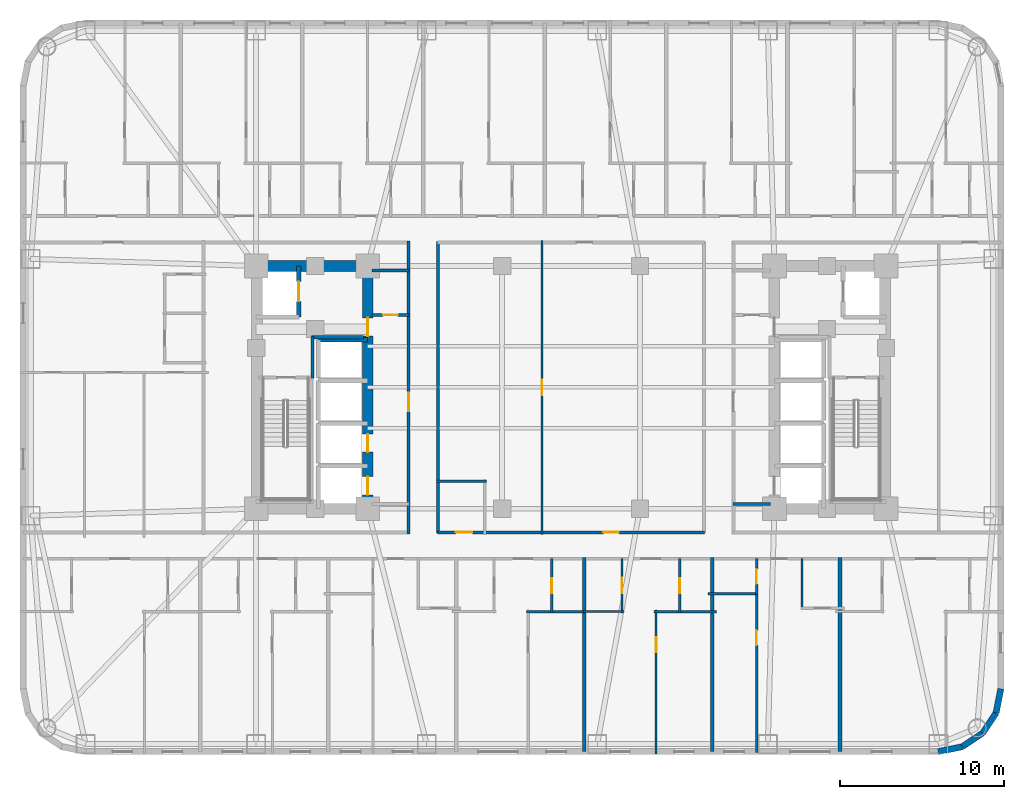
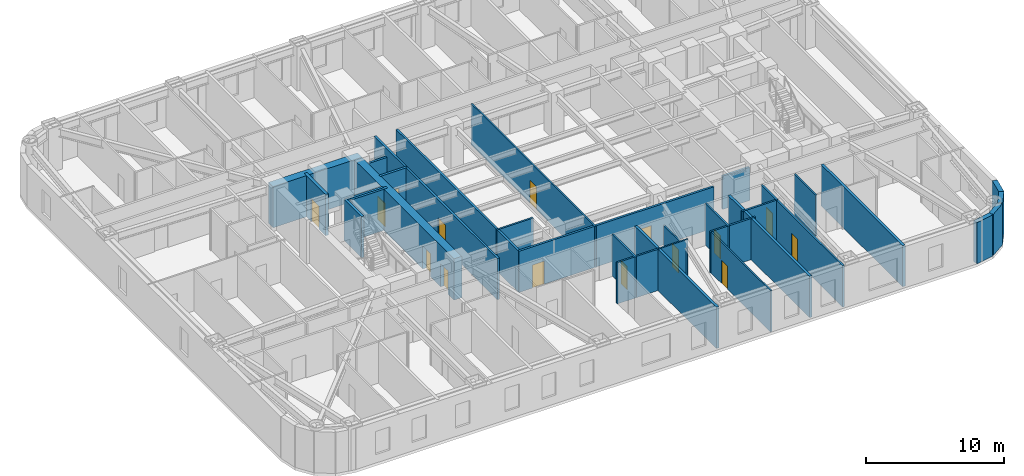
# One storey, part 5 of 11: 32 walls, 15 doors, 15 openings.
"""IFC4 building model written with IfcOpenShell, lengths in metres."""

from ifc_helpers import new_model, si_unit, direction, frame, frame_2d, origin, place, context, subcontext, project, spatial, rectangle, extrude, material, layer, layer_set, type_object, element, fill, save


model = new_model("IFC4")

# Units and contexts
model_context = context("Model", 3, precision=1e-05, world=origin(), true_north=direction((0.0, 1.0)))
body_context = subcontext(model_context, "Body", "Model", "MODEL_VIEW")
ifc_project = project(units=[si_unit("LENGTHUNIT", "METRE"), si_unit("AREAUNIT", "SQUARE_METRE"), si_unit("VOLUMEUNIT", "CUBIC_METRE"), si_unit("PLANEANGLEUNIT", "RADIAN"), si_unit("MASSUNIT", "GRAM", prefix="KILO")], contexts=[model_context])

# Site, building, storey
site_placement = place(None, origin())
site = spatial("IfcSite", under=ifc_project, at=site_placement, CompositionType="ELEMENT")
building_placement = place(site_placement, origin())
building = spatial("IfcBuilding", under=site, at=building_placement, Name="Voryun Gate Residences", CompositionType="ELEMENT")
storey_placement = place(building_placement, frame((0.0, 0.0, 57.199951171875)))
storey = spatial("IfcBuildingStorey", under=building, at=storey_placement, Name="L13", CompositionType="ELEMENT", Elevation=57.199951171875)

# Wall
ifc_material_1 = material(Name="Concrete C60/75", Category="concrete")
ifc_layer_1 = layer(ifc_material_1, 0.64990234375, Name="CW_CORE_650")
ifc_layer_set_1 = layer_set([ifc_layer_1], Name="Concrete C60/75")
wall_type_1 = type_object("IfcWallType", Name="CW_CORE_650", PredefinedType="SHEAR", material=ifc_layer_set_1)
wall_1_placement = place(storey_placement, frame((-19.52490234375, 7.39990234375, 0.0), z_axis=(0.0, 0.0, 1.0), x_axis=(1.0, 0.0, 0.0)))
element("IfcWall", 1, at=wall_1_placement, inside=storey, type_object=wall_type_1, Name="L13 Core shear wall CW-L13-WN", PredefinedType="SHEAR", context=body_context, shape_type="SweptSolid", body=[
    extrude(rectangle(XDim=7.449951171875, YDim=0.64990234375, at=frame_2d((3.72509765625, 0.0))), origin(), (0.0, 0.0, 1.0), 3.650146484375),
])

# Wall, openings, doors
wall_2_placement = place(storey_placement, frame((-12.39990234375, -7.39990234375, 0.0), z_axis=(0.0, 0.0, 1.0), x_axis=(0.0, 1.0, 0.0)))
wall_2 = element("IfcWall", 2, at=wall_2_placement, inside=storey, type_object=wall_type_1, Name="L13 Core shear wall CW-L13-WE", PredefinedType="SHEAR", context=body_context, shape_type="SweptSolid", body=[
    extrude(rectangle(XDim=14.7998046875, YDim=0.64990234375, at=frame_2d((7.39990234375, 0.0))), origin(), (0.0, 0.0, 1.0), 3.650146484375),
])
opening_1_placement = place(wall_2_placement, frame((0.85009765625, 0.0, 0.0)))
opening_1 = element("IfcOpeningElement", 3, at=opening_1_placement, cuts=wall_2, Name="Opening LD2", PredefinedType="OPENING", context=body_context, shape_type="SweptSolid", body=[
    extrude(rectangle(XDim=1.10009765625, YDim=2.050048828125, at=frame_2d((0.550048828125, 1.02490234375))), frame((0.0, 0.3349609375, 0.0), z_axis=(0.0, -1.0, 0.0), x_axis=(1.0, 0.0, 0.0)), (0.0, 0.0, 1.0), 0.669921875),
])
opening_2_placement = place(wall_2_placement, frame((3.449951171875, 0.0, 0.0)))
opening_2 = element("IfcOpeningElement", 4, at=opening_2_placement, cuts=wall_2, Name="Opening LD2", PredefinedType="OPENING", context=body_context, shape_type="SweptSolid", body=[
    extrude(rectangle(XDim=1.10009765625, YDim=2.050048828125, at=frame_2d((0.550048828125, 1.02490234375))), frame((0.0, 0.3349609375, 0.0), z_axis=(0.0, -1.0, 0.0), x_axis=(1.0, 0.0, 0.0)), (0.0, 0.0, 1.0), 0.669921875),
])
opening_3_placement = place(wall_2_placement, frame((10.530029296875, 0.0, 0.0)))
opening_3 = element("IfcOpeningElement", 5, at=opening_3_placement, cuts=wall_2, Name="Opening D-FD60-2", PredefinedType="OPENING", context=body_context, shape_type="SweptSolid", body=[
    extrude(rectangle(XDim=1.10009765625, YDim=2.050048828125, at=frame_2d((0.550048828125, 1.02490234375))), frame((0.0, 0.3349609375, 0.0), z_axis=(0.0, -1.0, 0.0), x_axis=(1.0, 0.0, 0.0)), (0.0, 0.0, 1.0), 0.669921875),
])
ifc_material_2 = material(Name="Painted steel fire door", Category="steel")
door_type_1 = type_object("IfcDoorType", Name="DR_FD60_FFLOB_1100", OperationType="NOTDEFINED", PredefinedType="DOOR", material=ifc_material_2)
door_1_placement = place(opening_3_placement, origin())
door_1 = element("IfcDoor", 6, at=door_1_placement, inside=storey, type_object=door_type_1, Name="Door DR-L13-CLOB-W", OperationType="SINGLE_SWING_LEFT", OverallHeight=2.050048828125, OverallWidth=1.10009765625, PredefinedType="DOOR", context=body_context, shape_type="SweptSolid", body=[
    extrude(rectangle(XDim=1.10009765625, YDim=2.050048828125, at=frame_2d((0.550048828125, 1.02490234375))), frame((0.0, 0.02490234375, 0.0), z_axis=(0.0, -1.0, 0.0), x_axis=(1.0, 0.0, 0.0)), (0.0, 0.0, 1.0), 0.050048828125),
])
fill(opening_3, door_1)
ifc_material_3 = material(Name="Anodised aluminium", Category="aluminium")
door_type_2 = type_object("IfcDoorType", Name="DR_LD_PASS_1100", OperationType="NOTDEFINED", PredefinedType="DOOR", material=ifc_material_3)
door_2_placement = place(opening_1_placement, origin())
door_2 = element("IfcDoor", 7, at=door_2_placement, inside=storey, type_object=door_type_2, Name="Lift EL-P1 sliding landing door L13", OperationType="SLIDING_TO_LEFT", OverallHeight=2.050048828125, OverallWidth=1.10009765625, PredefinedType="DOOR", context=body_context, shape_type="SweptSolid", body=[
    extrude(rectangle(XDim=1.10009765625, YDim=2.050048828125, at=frame_2d((0.550048828125, 1.02490234375))), frame((0.0, 0.02490234375, 0.0), z_axis=(0.0, -1.0, 0.0), x_axis=(1.0, 0.0, 0.0)), (0.0, 0.0, 1.0), 0.050048828125),
])
fill(opening_1, door_2)
door_3_placement = place(opening_2_placement, origin())
door_3 = element("IfcDoor", 8, at=door_3_placement, inside=storey, type_object=door_type_2, Name="Lift EL-P2 sliding landing door L13", OperationType="SLIDING_TO_LEFT", OverallHeight=2.050048828125, OverallWidth=1.10009765625, PredefinedType="DOOR", context=body_context, shape_type="SweptSolid", body=[
    extrude(rectangle(XDim=1.10009765625, YDim=2.050048828125, at=frame_2d((0.550048828125, 1.02490234375))), frame((0.0, 0.02490234375, 0.0), z_axis=(0.0, -1.0, 0.0), x_axis=(1.0, 0.0, 0.0)), (0.0, 0.0, 1.0), 0.050048828125),
])
fill(opening_2, door_3)

# Walls
ifc_material_4 = material(Name="Gypsum acoustic fireboard")
ifc_layer_2 = layer(ifc_material_4, 0.179931640625, Name="W_CORR_RATED_180")
ifc_layer_set_2 = layer_set([ifc_layer_2], Name="Gypsum acoustic fireboard")
wall_type_2 = type_object("IfcWallType", Name="W_CORR_RATED_180", PredefinedType="PARTITIONING", material=ifc_layer_set_2)
for number, where, z_axis, x_axis, name in (
    (9, (-12.14990234375, 7.1201171875, 0.0), (0.0, 0.0, 1.0), (1.0, 0.0, 0.0), "Partition wall WP-L13-PLBN-W"),
    (10, (9.8798828125, -7.1201171875, 0.0), (0.0, 0.0, 1.0), (1.0, 0.0, 0.0), "Partition wall WP-L13-PLBS-E"),
):
    element("IfcWall", number, at=place(storey_placement, frame(where, z_axis=z_axis, x_axis=x_axis)), inside=storey, type_object=wall_type_2, Name=name, PredefinedType="PARTITIONING", context=body_context, shape_type="SweptSolid", body=[
        extrude(rectangle(XDim=2.27001953125, YDim=0.179931640625, at=frame_2d((1.135009765625, 0.0))), origin(), (0.0, 0.0, 1.0), 2.93994140625),
    ])

# Wall, opening, door
wall_3_placement = place(storey_placement, frame((-9.89990234375, -8.929931640625, 0.0), z_axis=(0.0, 0.0, 1.0), x_axis=(0.0, 1.0, 0.0)))
wall_3 = element("IfcWall", 11, at=wall_3_placement, inside=storey, type_object=wall_type_2, Name="Partition wall WP-L13-PLBW-FULL", PredefinedType="PARTITIONING", context=body_context, shape_type="SweptSolid", body=[
    extrude(rectangle(XDim=17.85986328125, YDim=0.179931640625, at=frame_2d((8.929931640625, 0.0))), origin(), (0.0, 0.0, 1.0), 3.650146484375),
])
opening_4_placement = place(wall_3_placement, frame((7.487060546875, 0.0, 0.0)))
opening_4 = element("IfcOpeningElement", 12, at=opening_4_placement, cuts=wall_3, Name="Opening D-FD60-2", PredefinedType="OPENING", context=body_context, shape_type="SweptSolid", body=[
    extrude(rectangle(XDim=1.10009765625, YDim=2.050048828125, at=frame_2d((0.550048828125, 1.02490234375))), frame((0.0, 0.099853515625, 0.0), z_axis=(0.0, -1.0, 0.0), x_axis=(1.0, 0.0, 0.0)), (0.0, 0.0, 1.0), 0.199951171875),
])
door_4_placement = place(opening_4_placement, origin())
door_4 = element("IfcDoor", 13, at=door_4_placement, inside=storey, type_object=door_type_1, Name="Door DR-L13-PLBW-COR", OperationType="SINGLE_SWING_LEFT", OverallHeight=2.050048828125, OverallWidth=1.10009765625, PredefinedType="DOOR", context=body_context, shape_type="SweptSolid", body=[
    extrude(rectangle(XDim=1.10009765625, YDim=2.050048828125, at=frame_2d((0.550048828125, 1.02490234375))), frame((0.0, 0.02490234375, 0.0), z_axis=(0.0, -1.0, 0.0), x_axis=(1.0, 0.0, 0.0)), (0.0, 0.0, 1.0), 0.050048828125),
])
fill(opening_4, door_4)

# Wall, openings, doors
wall_4_placement = place(storey_placement, frame((-8.14990234375, -8.840087890625, 0.0), z_axis=(0.0, 0.0, 1.0), x_axis=(1.0, 0.0, 0.0)))
wall_4 = element("IfcWall", 14, at=wall_4_placement, inside=storey, type_object=wall_type_2, Name="Partition wall WP-L13-Z1S", PredefinedType="PARTITIONING", context=body_context, shape_type="SweptSolid", body=[
    extrude(rectangle(XDim=16.2998046875, YDim=0.179931640625, at=frame_2d((8.14990234375, 0.0))), origin(), (0.0, 0.0, 1.0), 3.650146484375),
])
opening_5_placement = place(wall_4_placement, frame((1.1298828125, 0.0, 0.0)))
opening_5 = element("IfcOpeningElement", 15, at=opening_5_placement, cuts=wall_4, Name="Opening D-AWC-1", PredefinedType="OPENING", context=body_context, shape_type="SweptSolid", body=[
    extrude(rectangle(XDim=1.0, YDim=2.050048828125, at=frame_2d((0.5, 1.02490234375))), frame((0.0, 0.099853515625, 0.0), z_axis=(0.0, -1.0, 0.0), x_axis=(1.0, 0.0, 0.0)), (0.0, 0.0, 1.0), 0.199951171875),
])
opening_6_placement = place(wall_4_placement, frame((10.1201171875, 0.0, 0.0)))
opening_6 = element("IfcOpeningElement", 16, at=opening_6_placement, cuts=wall_4, Name="Opening D-INT-1", PredefinedType="OPENING", context=body_context, shape_type="SweptSolid", body=[
    extrude(rectangle(XDim=0.949951171875, YDim=2.050048828125, at=frame_2d((0.47509765625, 1.02490234375))), frame((0.0, 0.099853515625, 0.0), z_axis=(0.0, -1.0, 0.0), x_axis=(1.0, 0.0, 0.0)), (0.0, 0.0, 1.0), 0.199951171875),
])
ifc_material_5 = material(Name="Architectural oak veneer")
door_type_3 = type_object("IfcDoorType", Name="DR_ACC_WC_1000", OperationType="NOTDEFINED", PredefinedType="DOOR", material=ifc_material_5)
door_5_placement = place(opening_5_placement, origin())
door_5 = element("IfcDoor", 17, at=door_5_placement, inside=storey, type_object=door_type_3, Name="Door DR-L13-CMWC-D", OperationType="SINGLE_SWING_LEFT", OverallHeight=2.050048828125, OverallWidth=1.0, PredefinedType="DOOR", context=body_context, shape_type="SweptSolid", body=[
    extrude(rectangle(XDim=1.0, YDim=2.050048828125, at=frame_2d((0.5, 1.02490234375))), frame((0.0, 0.02490234375, 0.0), z_axis=(0.0, -1.0, 0.0), x_axis=(1.0, 0.0, 0.0)), (0.0, 0.0, 1.0), 0.050048828125),
])
fill(opening_5, door_5)
ifc_material_6 = material(Name="Architectural oak veneer")
door_type_4 = type_object("IfcDoorType", Name="DR_INT_ROOM_950", OperationType="NOTDEFINED", PredefinedType="DOOR", material=ifc_material_6)
door_6_placement = place(opening_6_placement, origin())
door_6 = element("IfcDoor", 18, at=door_6_placement, inside=storey, type_object=door_type_4, Name="Door DR-L13-CMIDZ1S", OperationType="SINGLE_SWING_RIGHT", OverallHeight=2.050048828125, OverallWidth=0.949951171875, PredefinedType="DOOR", context=body_context, shape_type="SweptSolid", body=[
    extrude(rectangle(XDim=0.949951171875, YDim=2.050048828125, at=frame_2d((0.47509765625, 1.02490234375))), frame((0.0, 0.02490234375, 0.0), z_axis=(0.0, -1.0, 0.0), x_axis=(1.0, 0.0, 0.0)), (0.0, 0.0, 1.0), 0.050048828125),
])
fill(opening_6, door_6)

# Walls
wall_5_placement = place(storey_placement, frame((-8.10009765625, -8.8798828125, 0.0), z_axis=(0.0, 0.0, 1.0), x_axis=(0.0, 1.0, 0.0)))
element("IfcWall", 19, at=wall_5_placement, inside=storey, type_object=wall_type_2, Name="Partition wall WP-L13-Z1W", PredefinedType="PARTITIONING", context=body_context, shape_type="SweptSolid", body=[
    extrude(rectangle(XDim=17.759765625, YDim=0.179931640625, at=frame_2d((8.8798828125, 0.0))), origin(), (0.0, 0.0, 1.0), 3.650146484375),
])
ifc_material_7 = material(Name="Granite masonry", Category="masonry")
ifc_layer_3 = layer(ifc_material_7, 0.3798828125, Name="W_EXT_GRANITE_380")
ifc_layer_set_3 = layer_set([ifc_layer_3], Name="Granite masonry")
wall_type_3 = type_object("IfcWallType", Name="W_EXT_GRANITE_380", PredefinedType="ELEMENTEDWALL", material=ifc_layer_set_3)
wall_6_placement = place(storey_placement, frame((26.2099609375, -18.38134765625, 0.0), z_axis=(0.0, 0.0, 1.0), x_axis=(-0.195086038585, -0.980786132421, 0.0)))
element("IfcWall", 20, at=wall_6_placement, inside=storey, type_object=wall_type_3, Name="Exterior wall WEXT-L13-17", PredefinedType="ELEMENTEDWALL", context=body_context, shape_type="SweptSolid", body=[
    extrude(rectangle(XDim=1.504150390625, YDim=0.3798828125, at=frame_2d((0.751953125, 0.0))), origin(), (0.0, 0.0, 1.0), 3.650146484375),
])
for number, where, z_axis, x_axis, name in (
    (21, (25.91650390625, -19.856689453125, 0.0), (0.0, 0.0, 1.0), (-0.555686231674, -0.831392092774, 0.0), "Exterior wall WEXT-L13-18"),
    (22, (25.09130859375, -21.09130859375, 0.0), (0.0, 0.0, 1.0), (-0.831392092774, -0.555686231674, 0.0), "Exterior wall WEXT-L13-19"),
):
    element("IfcWall", number, at=place(storey_placement, frame(where, z_axis=z_axis, x_axis=x_axis)), inside=storey, type_object=wall_type_3, Name=name, PredefinedType="ELEMENTEDWALL", context=body_context, shape_type="SweptSolid", body=[
        extrude(rectangle(XDim=1.485107421875, YDim=0.3798828125, at=frame_2d((0.74267578125, 0.0))), origin(), (0.0, 0.0, 1.0), 3.650146484375),
    ])
wall_7_placement = place(storey_placement, frame((23.856689453125, -21.91650390625, 0.0), z_axis=(0.0, 0.0, 1.0), x_axis=(-0.980786132421, -0.195086038585, 0.0)))
element("IfcWall", 23, at=wall_7_placement, inside=storey, type_object=wall_type_3, Name="Exterior wall WEXT-L13-20", PredefinedType="ELEMENTEDWALL", context=body_context, shape_type="SweptSolid", body=[
    extrude(rectangle(XDim=1.504150390625, YDim=0.3798828125, at=frame_2d((0.751953125, 0.0))), origin(), (0.0, 0.0, 1.0), 3.650146484375),
])
ifc_material_8 = material(Name="Concrete C40/50", Category="concrete")
ifc_layer_4 = layer(ifc_material_8, 0.199951171875, Name="W_FF_LOBBY_200")
ifc_layer_set_4 = layer_set([ifc_layer_4], Name="Concrete C40/50")
wall_type_4 = type_object("IfcWallType", Name="W_FF_LOBBY_200", PredefinedType="PARTITIONING", material=ifc_layer_set_4)
wall_8_placement = place(storey_placement, frame((-15.760009765625, 0.580078125, 0.0), z_axis=(0.0, 0.0, 1.0), x_axis=(0.0, 1.0, 0.0)))
element("IfcWall", 24, at=wall_8_placement, inside=storey, type_object=wall_type_4, Name="Partition wall WP-L13-FFP0-W", PredefinedType="PARTITIONING", context=body_context, shape_type="SweptSolid", body=[
    extrude(rectangle(XDim=2.52001953125, YDim=0.199951171875, at=frame_2d((1.260009765625, 0.0))), origin(), (0.0, 0.0, 1.0), 3.650146484375),
])
wall_9_placement = place(storey_placement, frame((-15.820068359375, 3.06005859375, 0.0), z_axis=(0.0, 0.0, 1.0), x_axis=(1.0, 0.0, 0.0)))
element("IfcWall", 25, at=wall_9_placement, inside=storey, type_object=wall_type_4, Name="Partition wall WP-L13-FFPS-W", PredefinedType="PARTITIONING", context=body_context, shape_type="SweptSolid", body=[
    extrude(rectangle(XDim=3.16015625, YDim=0.199951171875, at=frame_2d((1.580078125, 0.0))), origin(), (0.0, 0.0, 1.0), 3.650146484375),
])

# Wall, opening, door
wall_10_placement = place(storey_placement, frame((-12.14990234375, 4.409912109375, 0.0), z_axis=(0.0, 0.0, 1.0), x_axis=(1.0, 0.0, 0.0)))
wall_10 = element("IfcWall", 26, at=wall_10_placement, inside=storey, type_object=wall_type_4, Name="Partition wall WP-L13-CSFLKS-W", PredefinedType="PARTITIONING", context=body_context, shape_type="SweptSolid", body=[
    extrude(rectangle(XDim=2.27001953125, YDim=0.199951171875, at=frame_2d((1.135009765625, 0.0))), origin(), (0.0, 0.0, 1.0), 3.650146484375),
])
opening_7_placement = place(wall_10_placement, frame((0.68505859375, 0.0, 0.0)))
opening_7 = element("IfcOpeningElement", 27, at=opening_7_placement, cuts=wall_10, Name="Opening D-FD60-4", PredefinedType="OPENING", context=body_context, shape_type="SweptSolid", body=[
    extrude(rectangle(XDim=0.89990234375, YDim=2.050048828125, at=frame_2d((0.449951171875, 1.02490234375))), frame((0.0, 0.110107421875, 0.0), z_axis=(0.0, -1.0, 0.0), x_axis=(1.0, 0.0, 0.0)), (0.0, 0.0, 1.0), 0.219970703125),
])
ifc_material_9 = material(Name="Painted steel fire door", Category="steel")
door_type_5 = type_object("IfcDoorType", Name="DR_FD60_RISER_900", OperationType="NOTDEFINED", PredefinedType="DOOR", material=ifc_material_9)
door_7_placement = place(opening_7_placement, origin())
door_7 = element("IfcDoor", 28, at=door_7_placement, inside=storey, type_object=door_type_5, Name="Door DR-L13-CSFLK-W", OperationType="SINGLE_SWING_LEFT", OverallHeight=2.050048828125, OverallWidth=0.89990234375, PredefinedType="DOOR", context=body_context, shape_type="SweptSolid", body=[
    extrude(rectangle(XDim=0.89990234375, YDim=2.050048828125, at=frame_2d((0.449951171875, 1.02490234375))), frame((0.0, 0.02490234375, 0.0), z_axis=(0.0, -1.0, 0.0), x_axis=(1.0, 0.0, 0.0)), (0.0, 0.0, 1.0), 0.050048828125),
])
fill(opening_7, door_7)

# Walls
ifc_material_10 = material(Name="Concrete C40/50", Category="concrete")
ifc_layer_5 = layer(ifc_material_10, 0.219970703125, Name="W_PARTY_ACOUSTIC_220")
ifc_layer_set_5 = layer_set([ifc_layer_5], Name="Concrete C40/50")
wall_type_5 = type_object("IfcWallType", Name="W_PARTY_ACOUSTIC_220", PredefinedType="PARTITIONING", material=ifc_layer_set_5)
for number, where, z_axis, x_axis, name in (
    (29, (0.800048828125, -22.2099609375, 0.0), (0.0, 0.0, 1.0), (0.0, 1.0, 0.0), "Partition wall WP-L13-SPTY-4"),
    (30, (8.60009765625, -22.2099609375, 0.0), (0.0, 0.0, 1.0), (0.0, 1.0, 0.0), "Partition wall WP-L13-SPTY-5"),
    (31, (16.39990234375, -22.2099609375, 0.0), (0.0, 0.0, 1.0), (0.0, 1.0, 0.0), "Partition wall WP-L13-SPTY-6"),
):
    element("IfcWall", number, at=place(storey_placement, frame(where, z_axis=z_axis, x_axis=x_axis)), inside=storey, type_object=wall_type_5, Name=name, PredefinedType="PARTITIONING", context=body_context, shape_type="SweptSolid", body=[
        extrude(rectangle(XDim=11.83984375, YDim=0.219970703125, at=frame_2d((5.919921875, 0.0))), origin(), (0.0, 0.0, 1.0), 3.650146484375),
    ])

# Wall, opening, door
ifc_material_11 = material(Name="Concrete C50/60", Category="concrete")
ifc_layer_6 = layer(ifc_material_11, 0.25, Name="W_SHAFT_RC250")
ifc_layer_set_6 = layer_set([ifc_layer_6], Name="Concrete C50/60")
wall_type_6 = type_object("IfcWallType", Name="W_SHAFT_RC250", PredefinedType="SOLIDWALL", material=ifc_layer_set_6)
wall_11_placement = place(storey_placement, frame((-16.60009765625, 4.300048828125, 0.0), z_axis=(0.0, 0.0, 1.0), x_axis=(0.0, 1.0, 0.0)))
wall_11 = element("IfcWall", 32, at=wall_11_placement, inside=storey, type_object=wall_type_6, Name="Lift shaft wall WSH-L13-EL-FF-W1-E", PredefinedType="SOLIDWALL", context=body_context, shape_type="SweptSolid", body=[
    extrude(rectangle(XDim=3.099853515625, YDim=0.25, at=frame_2d((1.5498046875, 0.0))), origin(), (0.0, 0.0, 1.0), 3.650146484375),
])
opening_8_placement = place(wall_11_placement, frame((0.949951171875, 0.0, 0.0)))
opening_8 = element("IfcOpeningElement", 33, at=opening_8_placement, cuts=wall_11, Name="Opening LD1", PredefinedType="OPENING", context=body_context, shape_type="SweptSolid", body=[
    extrude(rectangle(XDim=1.199951171875, YDim=2.050048828125, at=frame_2d((0.60009765625, 1.02490234375))), frame((0.0, 0.135009765625, 0.0), z_axis=(0.0, -1.0, 0.0), x_axis=(1.0, 0.0, 0.0)), (0.0, 0.0, 1.0), 0.27001953125),
])
ifc_material_12 = material(Name="Anodised aluminium", Category="aluminium")
door_type_6 = type_object("IfcDoorType", Name="DR_LD_FF_1200", OperationType="NOTDEFINED", PredefinedType="DOOR", material=ifc_material_12)
door_8_placement = place(opening_8_placement, origin())
door_8 = element("IfcDoor", 34, at=door_8_placement, inside=storey, type_object=door_type_6, Name="Lift EL-FF-W1 sliding landing door L13", OperationType="SLIDING_TO_LEFT", OverallHeight=2.050048828125, OverallWidth=1.199951171875, PredefinedType="DOOR", context=body_context, shape_type="SweptSolid", body=[
    extrude(rectangle(XDim=1.199951171875, YDim=2.050048828125, at=frame_2d((0.60009765625, 1.02490234375))), frame((0.0, 0.02490234375, 0.0), z_axis=(0.0, -1.0, 0.0), x_axis=(1.0, 0.0, 0.0)), (0.0, 0.0, 1.0), 0.050048828125),
])
fill(opening_8, door_8)

# Wall
wall_12_placement = place(storey_placement, frame((-12.39990234375, 2.89990234375, 0.0), z_axis=(0.0, 0.0, 1.0), x_axis=(-1.0, 0.0, 0.0)))
element("IfcWall", 35, at=wall_12_placement, inside=storey, type_object=wall_type_6, Name="Lift shaft wall WSH-L13-EL-P7-N", PredefinedType="SOLIDWALL", context=body_context, shape_type="SweptSolid", body=[
    extrude(rectangle(XDim=3.0, YDim=0.25, at=frame_2d((1.5, 0.0))), origin(), (0.0, 0.0, 1.0), 3.650146484375),
])

# Wall, opening, door
ifc_material_13 = material(Name="Gypsum acoustic partition")
ifc_layer_7 = layer(ifc_material_13, 0.125, Name="W_UNIT_PART_125")
ifc_layer_set_7 = layer_set([ifc_layer_7], Name="Gypsum acoustic partition")
wall_type_7 = type_object("IfcWallType", Name="W_UNIT_PART_125", PredefinedType="PARTITIONING", material=ifc_layer_set_7)
wall_13_placement = place(storey_placement, frame((-1.77294921875, -8.969970703125, 0.0), z_axis=(0.0, 0.0, 1.0), x_axis=(0.0, 1.0, 0.0)))
wall_13 = element("IfcWall", 36, at=wall_13_placement, inside=storey, type_object=wall_type_7, Name="Partition wall WP-L13-MIDX-0", PredefinedType="PARTITIONING", context=body_context, shape_type="SweptSolid", body=[
    extrude(rectangle(XDim=17.93994140625, YDim=0.125, at=frame_2d((8.969970703125, 0.0))), origin(), (0.0, 0.0, 1.0), 3.650146484375),
])
opening_9_placement = place(wall_13_placement, frame((8.4951171875, 0.0, 0.0)))
opening_9 = element("IfcOpeningElement", 37, at=opening_9_placement, cuts=wall_13, Name="Opening D-INT-1", PredefinedType="OPENING", context=body_context, shape_type="SweptSolid", body=[
    extrude(rectangle(XDim=0.949951171875, YDim=2.050048828125, at=frame_2d((0.47509765625, 1.02490234375))), frame((0.0, 0.072509765625, 0.0), z_axis=(0.0, -1.0, 0.0), x_axis=(1.0, 0.0, 0.0)), (0.0, 0.0, 1.0), 0.14501953125),
])
door_9_placement = place(opening_9_placement, origin())
door_9 = element("IfcDoor", 38, at=door_9_placement, inside=storey, type_object=door_type_4, Name="Door DR-L13-MIDX-0", OperationType="SINGLE_SWING_LEFT", OverallHeight=2.050048828125, OverallWidth=0.949951171875, PredefinedType="DOOR", context=body_context, shape_type="SweptSolid", body=[
    extrude(rectangle(XDim=0.949951171875, YDim=2.050048828125, at=frame_2d((0.47509765625, 1.02490234375))), frame((0.0, 0.02490234375, 0.0), z_axis=(0.0, -1.0, 0.0), x_axis=(1.0, 0.0, 0.0)), (0.0, 0.0, 1.0), 0.050048828125),
])
fill(opening_9, door_9)

wall_14_placement = place(storey_placement, frame((5.18994140625, -22.360107421875, 0.0), z_axis=(0.0, 0.0, 1.0), x_axis=(0.0, 1.0, 0.0)))
wall_14 = element("IfcWall", 39, at=wall_14_placement, inside=storey, type_object=wall_type_7, Name="Partition wall WP-L13-S5-OVR", PredefinedType="PARTITIONING", context=body_context, shape_type="SweptSolid", body=[
    extrude(rectangle(XDim=8.77001953125, YDim=0.125, at=frame_2d((4.385009765625, 0.0))), origin(), (0.0, 0.0, 1.0), 3.650146484375),
])
opening_10_placement = place(wall_14_placement, frame((6.215087890625, 0.0, 0.0)))
opening_10 = element("IfcOpeningElement", 40, at=opening_10_placement, cuts=wall_14, Name="Opening D-INT-2", PredefinedType="OPENING", context=body_context, shape_type="SweptSolid", body=[
    extrude(rectangle(XDim=0.89990234375, YDim=2.050048828125, at=frame_2d((0.449951171875, 1.02490234375))), frame((0.0, 0.072509765625, 0.0), z_axis=(0.0, -1.0, 0.0), x_axis=(1.0, 0.0, 0.0)), (0.0, 0.0, 1.0), 0.14501953125),
])
ifc_material_14 = material(Name="Architectural oak veneer")
door_type_7 = type_object("IfcDoorType", Name="DR_INT_BATH_900", OperationType="NOTDEFINED", PredefinedType="DOOR", material=ifc_material_14)
door_10_placement = place(opening_10_placement, origin())
door_10 = element("IfcDoor", 41, at=door_10_placement, inside=storey, type_object=door_type_7, Name="Door DR-L13-S5-DMB", OperationType="SINGLE_SWING_RIGHT", OverallHeight=2.050048828125, OverallWidth=0.89990234375, PredefinedType="DOOR", context=body_context, shape_type="SweptSolid", body=[
    extrude(rectangle(XDim=0.89990234375, YDim=2.050048828125, at=frame_2d((0.449951171875, 1.02490234375))), frame((0.0, 0.02490234375, 0.0), z_axis=(0.0, -1.0, 0.0), x_axis=(1.0, 0.0, 0.0)), (0.0, 0.0, 1.0), 0.050048828125),
])
fill(opening_10, door_10)

wall_15_placement = place(storey_placement, frame((3.110107421875, -13.75, 0.0), z_axis=(0.0, 0.0, 1.0), x_axis=(0.0, 1.0, 0.0)))
wall_15 = element("IfcWall", 42, at=wall_15_placement, inside=storey, type_object=wall_type_7, Name="Partition wall WP-L13-S5-IVK", PredefinedType="PARTITIONING", context=body_context, shape_type="SweptSolid", body=[
    extrude(rectangle(XDim=3.320068359375, YDim=0.125, at=frame_2d((1.66015625, 0.0))), origin(), (0.0, 0.0, 1.0), 2.93994140625),
])
opening_11_placement = place(wall_15_placement, frame((1.18505859375, 0.0, 0.0)))
opening_11 = element("IfcOpeningElement", 43, at=opening_11_placement, cuts=wall_15, Name="Opening D-INT-1", PredefinedType="OPENING", context=body_context, shape_type="SweptSolid", body=[
    extrude(rectangle(XDim=0.949951171875, YDim=2.050048828125, at=frame_2d((0.47509765625, 1.02490234375))), frame((0.0, 0.072509765625, 0.0), z_axis=(0.0, -1.0, 0.0), x_axis=(1.0, 0.0, 0.0)), (0.0, 0.0, 1.0), 0.14501953125),
])
door_11_placement = place(opening_11_placement, origin())
door_11 = element("IfcDoor", 44, at=door_11_placement, inside=storey, type_object=door_type_4, Name="Door DR-L13-S5-DK", OperationType="SINGLE_SWING_LEFT", OverallHeight=2.050048828125, OverallWidth=0.949951171875, PredefinedType="DOOR", context=body_context, shape_type="SweptSolid", body=[
    extrude(rectangle(XDim=0.949951171875, YDim=2.050048828125, at=frame_2d((0.47509765625, 1.02490234375))), frame((0.0, 0.02490234375, 0.0), z_axis=(0.0, -1.0, 0.0), x_axis=(1.0, 0.0, 0.0)), (0.0, 0.0, 1.0), 0.050048828125),
])
fill(opening_11, door_11)

# Walls
wall_16_placement = place(storey_placement, frame((0.72509765625, -13.669921875, 0.0), z_axis=(0.0, 0.0, 1.0), x_axis=(1.0, 0.0, 0.0)))
element("IfcWall", 45, at=wall_16_placement, inside=storey, type_object=wall_type_7, Name="Partition wall WP-L13-S5-HZK", PredefinedType="PARTITIONING", context=body_context, shape_type="SweptSolid", body=[
    extrude(rectangle(XDim=2.5048828125, YDim=0.125, at=frame_2d((1.25244140625, 0.0))), origin(), (0.0, 0.0, 1.0), 3.650146484375),
])
wall_17_placement = place(storey_placement, frame((14.075927734375, -13.530029296875, 0.0), z_axis=(0.0, 0.0, 1.0), x_axis=(0.0, 1.0, 0.0)))
element("IfcWall", 46, at=wall_17_placement, inside=storey, type_object=wall_type_7, Name="Partition wall WP-L13-S6-KVX", PredefinedType="PARTITIONING", context=body_context, shape_type="SweptSolid", body=[
    extrude(rectangle(XDim=3.10009765625, YDim=0.125, at=frame_2d((1.550048828125, 0.0))), origin(), (0.0, 0.0, 1.0), 3.650146484375),
])
ifc_material_15 = material(Name="Gypsum moisture-resistant partition")
ifc_layer_8 = layer(ifc_material_15, 0.14990234375, Name="W_WET_PLUMB_150")
ifc_layer_set_8 = layer_set([ifc_layer_8], Name="Gypsum moisture-resistant partition")
wall_type_8 = type_object("IfcWallType", Name="W_WET_PLUMB_150", PredefinedType="PLUMBINGWALL", material=ifc_layer_set_8)
wall_18_placement = place(storey_placement, frame((-8.2099609375, -5.719970703125, 0.0), z_axis=(0.0, 0.0, 1.0), x_axis=(1.0, 0.0, 0.0)))
element("IfcWall", 47, at=wall_18_placement, inside=storey, type_object=wall_type_8, Name="Partition wall WP-L13-CMWCY", PredefinedType="PLUMBINGWALL", context=body_context, shape_type="SweptSolid", body=[
    extrude(rectangle(XDim=3.050048828125, YDim=0.14990234375, at=frame_2d((1.52490234375, 0.0))), origin(), (0.0, 0.0, 1.0), 3.650146484375),
])
wall_19_placement = place(storey_placement, frame((-2.72998046875, -13.669921875, 0.0), z_axis=(0.0, 0.0, 1.0), x_axis=(1.0, 0.0, 0.0)))
element("IfcWall", 48, at=wall_19_placement, inside=storey, type_object=wall_type_8, Name="Partition wall WP-L13-S4-HZB", PredefinedType="PLUMBINGWALL", context=body_context, shape_type="SweptSolid", body=[
    extrude(rectangle(XDim=3.60498046875, YDim=0.14990234375, at=frame_2d((1.802490234375, 0.0))), origin(), (0.0, 0.0, 1.0), 3.650146484375),
])

# Wall, opening, door
wall_20_placement = place(storey_placement, frame((-1.179931640625, -13.75, 0.0), z_axis=(0.0, 0.0, 1.0), x_axis=(0.0, 1.0, 0.0)))
wall_20 = element("IfcWall", 49, at=wall_20_placement, inside=storey, type_object=wall_type_8, Name="Partition wall WP-L13-S4-IVB", PredefinedType="PLUMBINGWALL", context=body_context, shape_type="SweptSolid", body=[
    extrude(rectangle(XDim=3.320068359375, YDim=0.14990234375, at=frame_2d((1.66015625, 0.0))), origin(), (0.0, 0.0, 1.0), 3.650146484375),
])
opening_12_placement = place(wall_20_placement, frame((1.2099609375, 0.0, 0.0)))
opening_12 = element("IfcOpeningElement", 50, at=opening_12_placement, cuts=wall_20, Name="Opening D-INT-2", PredefinedType="OPENING", context=body_context, shape_type="SweptSolid", body=[
    extrude(rectangle(XDim=0.89990234375, YDim=2.050048828125, at=frame_2d((0.449951171875, 1.02490234375))), frame((0.0, 0.0849609375, 0.0), z_axis=(0.0, -1.0, 0.0), x_axis=(1.0, 0.0, 0.0)), (0.0, 0.0, 1.0), 0.169921875),
])
door_12_placement = place(opening_12_placement, origin())
door_12 = element("IfcDoor", 51, at=door_12_placement, inside=storey, type_object=door_type_7, Name="Door DR-L13-S4-DB", OperationType="SINGLE_SWING_RIGHT", OverallHeight=2.050048828125, OverallWidth=0.89990234375, PredefinedType="DOOR", context=body_context, shape_type="SweptSolid", body=[
    extrude(rectangle(XDim=0.89990234375, YDim=2.050048828125, at=frame_2d((0.449951171875, 1.02490234375))), frame((0.0, 0.02490234375, 0.0), z_axis=(0.0, -1.0, 0.0), x_axis=(1.0, 0.0, 0.0)), (0.0, 0.0, 1.0), 0.050048828125),
])
fill(opening_12, door_12)

# Wall
wall_21_placement = place(storey_placement, frame((5.070068359375, -13.669921875, 0.0), z_axis=(0.0, 0.0, 1.0), x_axis=(1.0, 0.0, 0.0)))
element("IfcWall", 52, at=wall_21_placement, inside=storey, type_object=wall_type_8, Name="Partition wall WP-L13-S5-HZB", PredefinedType="PLUMBINGWALL", context=body_context, shape_type="SweptSolid", body=[
    extrude(rectangle(XDim=3.7900390625, YDim=0.14990234375, at=frame_2d((1.89501953125, 0.0))), origin(), (0.0, 0.0, 1.0), 3.650146484375),
])

# Wall, opening, door
wall_22_placement = place(storey_placement, frame((6.6201171875, -13.75, 0.0), z_axis=(0.0, 0.0, 1.0), x_axis=(0.0, 1.0, 0.0)))
wall_22 = element("IfcWall", 53, at=wall_22_placement, inside=storey, type_object=wall_type_8, Name="Partition wall WP-L13-S5-IVB", PredefinedType="PLUMBINGWALL", context=body_context, shape_type="SweptSolid", body=[
    extrude(rectangle(XDim=3.320068359375, YDim=0.14990234375, at=frame_2d((1.66015625, 0.0))), origin(), (0.0, 0.0, 1.0), 3.650146484375),
])
opening_13_placement = place(wall_22_placement, frame((1.2099609375, 0.0, 0.0)))
opening_13 = element("IfcOpeningElement", 54, at=opening_13_placement, cuts=wall_22, Name="Opening D-INT-2", PredefinedType="OPENING", context=body_context, shape_type="SweptSolid", body=[
    extrude(rectangle(XDim=0.89990234375, YDim=2.050048828125, at=frame_2d((0.449951171875, 1.02490234375))), frame((0.0, 0.0849609375, 0.0), z_axis=(0.0, -1.0, 0.0), x_axis=(1.0, 0.0, 0.0)), (0.0, 0.0, 1.0), 0.169921875),
])
door_13_placement = place(opening_13_placement, origin())
door_13 = element("IfcDoor", 55, at=door_13_placement, inside=storey, type_object=door_type_7, Name="Door DR-L13-S5-DB", OperationType="SINGLE_SWING_RIGHT", OverallHeight=2.050048828125, OverallWidth=0.89990234375, PredefinedType="DOOR", context=body_context, shape_type="SweptSolid", body=[
    extrude(rectangle(XDim=0.89990234375, YDim=2.050048828125, at=frame_2d((0.449951171875, 1.02490234375))), frame((0.0, 0.02490234375, 0.0), z_axis=(0.0, -1.0, 0.0), x_axis=(1.0, 0.0, 0.0)), (0.0, 0.0, 1.0), 0.050048828125),
])
fill(opening_13, door_13)

# Wall
wall_23_placement = place(storey_placement, frame((8.340087890625, -12.590087890625, 0.0), z_axis=(0.0, 0.0, 1.0), x_axis=(1.0, 0.0, 0.0)))
element("IfcWall", 56, at=wall_23_placement, inside=storey, type_object=wall_type_8, Name="Partition wall WP-L13-S6-LHY", PredefinedType="PLUMBINGWALL", context=body_context, shape_type="SweptSolid", body=[
    extrude(rectangle(XDim=3.0498046875, YDim=0.14990234375, at=frame_2d((1.52490234375, 0.0))), origin(), (0.0, 0.0, 1.0), 3.650146484375),
])

# Wall, opening, door
wall_24_placement = place(storey_placement, frame((11.31005859375, -22.257568359375, 0.0), z_axis=(0.0, 0.0, 1.0), x_axis=(0.0, 1.0, 0.0)))
wall_24 = element("IfcWall", 57, at=wall_24_placement, inside=storey, type_object=wall_type_8, Name="Partition wall WP-L13-S6-LVX1", PredefinedType="PLUMBINGWALL", context=body_context, shape_type="SweptSolid", body=[
    extrude(rectangle(XDim=9.70751953125, YDim=0.14990234375, at=frame_2d((4.853759765625, 0.0))), origin(), (0.0, 0.0, 1.0), 3.650146484375),
])
opening_14_placement = place(wall_24_placement, frame((6.53955078125, 0.0, 0.0)))
opening_14 = element("IfcOpeningElement", 58, at=opening_14_placement, cuts=wall_24, Name="Opening D-INT-2", PredefinedType="OPENING", context=body_context, shape_type="SweptSolid", body=[
    extrude(rectangle(XDim=0.89990234375, YDim=2.050048828125, at=frame_2d((0.449951171875, 1.02490234375))), frame((0.0, 0.0849609375, 0.0), z_axis=(0.0, -1.0, 0.0), x_axis=(1.0, 0.0, 0.0)), (0.0, 0.0, 1.0), 0.169921875),
])
door_14_placement = place(opening_14_placement, origin())
door_14 = element("IfcDoor", 59, at=door_14_placement, inside=storey, type_object=door_type_7, Name="Door DR-L13-S6-DMB", OperationType="SINGLE_SWING_LEFT", OverallHeight=2.050048828125, OverallWidth=0.89990234375, PredefinedType="DOOR", context=body_context, shape_type="SweptSolid", body=[
    extrude(rectangle(XDim=0.89990234375, YDim=2.050048828125, at=frame_2d((0.449951171875, 1.02490234375))), frame((0.0, 0.02490234375, 0.0), z_axis=(0.0, -1.0, 0.0), x_axis=(1.0, 0.0, 0.0)), (0.0, 0.0, 1.0), 0.050048828125),
])
fill(opening_14, door_14)

wall_25_placement = place(storey_placement, frame((11.31005859375, -12.6298828125, 0.0), z_axis=(0.0, 0.0, 1.0), x_axis=(0.0, 1.0, 0.0)))
wall_25 = element("IfcWall", 60, at=wall_25_placement, inside=storey, type_object=wall_type_8, Name="Partition wall WP-L13-S6-LVX2", PredefinedType="PLUMBINGWALL", context=body_context, shape_type="SweptSolid", body=[
    extrude(rectangle(XDim=2.199951171875, YDim=0.14990234375, at=frame_2d((1.10009765625, 0.0))), origin(), (0.0, 0.0, 1.0), 3.650146484375),
])
opening_15_placement = place(wall_25_placement, frame((0.64990234375, 0.0, 0.0)))
opening_15 = element("IfcOpeningElement", 61, at=opening_15_placement, cuts=wall_25, Name="Opening D-INT-2", PredefinedType="OPENING", context=body_context, shape_type="SweptSolid", body=[
    extrude(rectangle(XDim=0.89990234375, YDim=2.050048828125, at=frame_2d((0.449951171875, 1.02490234375))), frame((0.0, 0.0849609375, 0.0), z_axis=(0.0, -1.0, 0.0), x_axis=(1.0, 0.0, 0.0)), (0.0, 0.0, 1.0), 0.169921875),
])
door_15_placement = place(opening_15_placement, origin())
door_15 = element("IfcDoor", 62, at=door_15_placement, inside=storey, type_object=door_type_7, Name="Door DR-L13-S6-DB", OperationType="SINGLE_SWING_RIGHT", OverallHeight=2.050048828125, OverallWidth=0.89990234375, PredefinedType="DOOR", context=body_context, shape_type="SweptSolid", body=[
    extrude(rectangle(XDim=0.89990234375, YDim=2.050048828125, at=frame_2d((0.449951171875, 1.02490234375))), frame((0.0, 0.02490234375, 0.0), z_axis=(0.0, -1.0, 0.0), x_axis=(1.0, 0.0, 0.0)), (0.0, 0.0, 1.0), 0.050048828125),
])
fill(opening_15, door_15)

save(model, "model.ifc")
